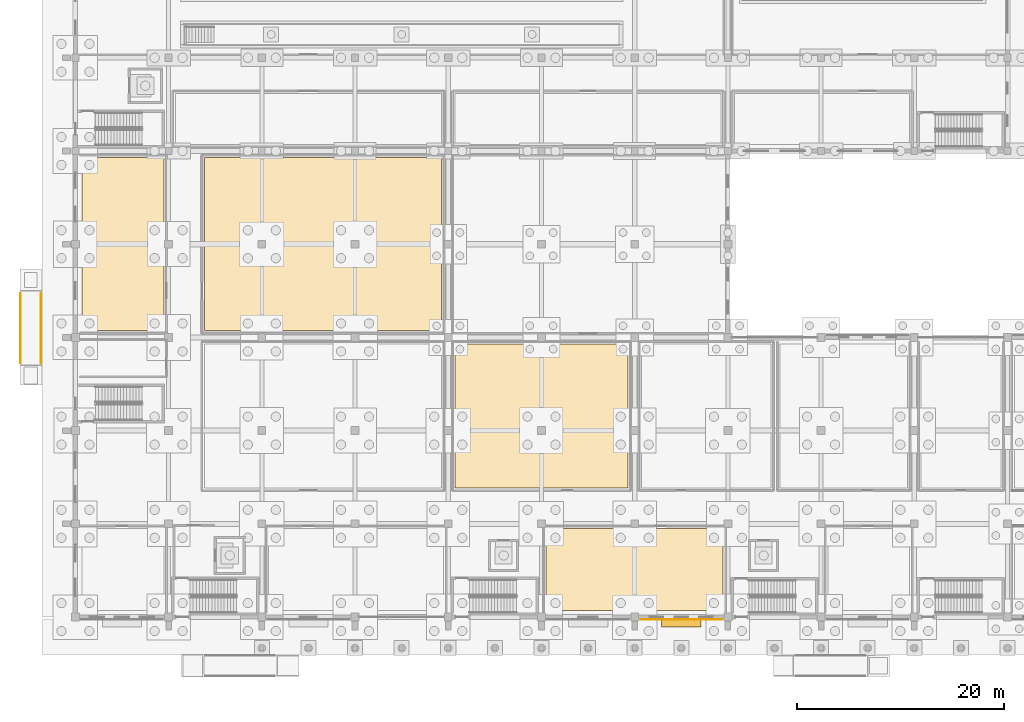
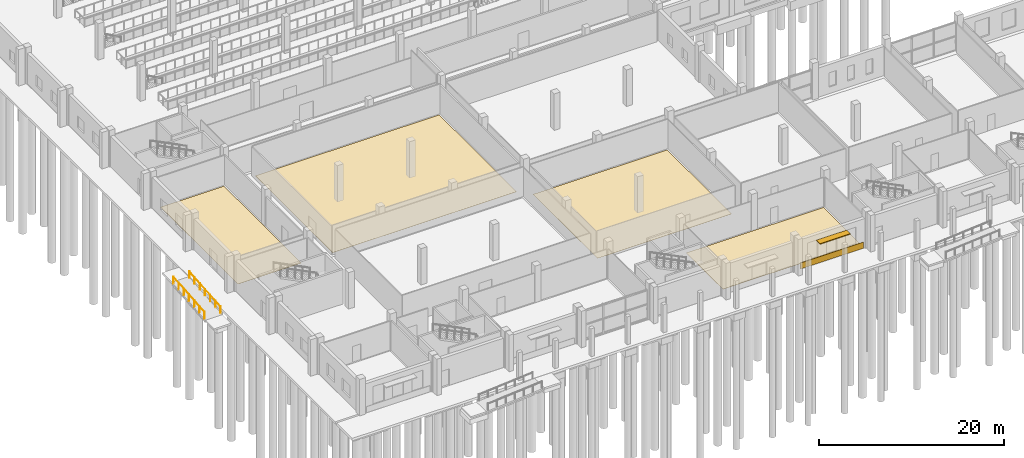
# One storey, part 92 of 112: 5 coverings, 2 railings, 1 shading device.
"""IFC4 building model written with IfcOpenShell, lengths in metres."""

from ifc_helpers import new_model, si_unit, direction, frame, origin, origin_2d, place, context, subcontext, project, spatial, polyline, rectangle, circle, outline, extrude, material, layer, layer_set, type_object, element, save


model = new_model("IFC4")

# Units and contexts
model_context = context("Model", 3, precision=1e-05, world=origin(), true_north=direction((0.0, 1.0)))
body_context = subcontext(model_context, "Body", "Model", "MODEL_VIEW")
ifc_project = project(units=[si_unit("LENGTHUNIT", "METRE"), si_unit("AREAUNIT", "SQUARE_METRE"), si_unit("VOLUMEUNIT", "CUBIC_METRE"), si_unit("PLANEANGLEUNIT", "RADIAN"), si_unit("MASSUNIT", "GRAM", prefix="KILO")], contexts=[model_context])

# Site, building, storey
site_placement = place(None, origin())
site = spatial("IfcSite", under=ifc_project, at=site_placement, CompositionType="ELEMENT")
building_placement = place(site_placement, origin())
building = spatial("IfcBuilding", under=site, at=building_placement, Name="Tharagai Park Tramway Depot", CompositionType="ELEMENT")
storey_placement = place(building_placement, origin())
storey = spatial("IfcBuildingStorey", under=building, at=storey_placement, Name="L00", CompositionType="ELEMENT", Elevation=0.0)

# Coverings
ifc_material_1 = material(Name="Charnockite stone", Category="masonry")
ifc_layer_1 = layer(ifc_material_1, 0.0400390625)
ifc_layer_set_1 = layer_set([ifc_layer_1], Name="Charnockite stone")
covering_type_1 = type_object("IfcCoveringType", Name="CV-02", PredefinedType="CLADDING", material=ifc_layer_set_1)
covering_1_placement = place(storey_placement, frame((58.5, -0.22509765625, 0.02001953125), z_axis=(0.0, 0.0, 1.0), x_axis=(1.0, 0.0, 0.0)))
element("IfcCovering", 1, at=covering_1_placement, inside=storey, type_object=covering_type_1, Name="Charnockite Plinth Cladding CV-02 #4", PredefinedType="CLADDING", context=body_context, shape_type="SweptSolid", body=[
    extrude(rectangle(XDim=7.85400390625, YDim=0.0400390625, at=origin_2d()), origin(), (0.0, 0.0, 1.0), 0.800048828125),
])
ifc_material_2 = material(Name="Terracotta floor tile", Category="masonry")
ifc_layer_2 = layer(ifc_material_2, 0.02001953125)
ifc_layer_set_2 = layer_set([ifc_layer_2], Name="Terracotta floor tile")
covering_type_2 = type_object("IfcCoveringType", Name="FN-01", PredefinedType="FLOORING", material=ifc_layer_set_2)
covering_2_placement = place(storey_placement, origin())
element("IfcCovering", 2, at=covering_2_placement, inside=storey, type_object=covering_type_2, Name="Duty Roster and Crew Dispatch Office Floor Finish", PredefinedType="FLOORING", context=body_context, shape_type="SweptSolid", body=[
    extrude(outline(polyline([(45.449951171875, 0.64990234375), (62.550048828125, 0.64990234375), (62.550048828125, 8.550048828125), (45.449951171875, 8.550048828125), (45.449951171875, 0.64990234375)])), origin(), (0.0, 0.0, 1.0), 0.02001953125),
])
covering_3_placement = place(storey_placement, origin())
element("IfcCovering", 3, at=covering_3_placement, inside=storey, type_object=covering_type_2, Name="Female Crew Lockers and Changing Room Floor Finish", PredefinedType="FLOORING", context=body_context, shape_type="SweptSolid", body=[
    extrude(outline(polyline([(36.64990234375, 12.449951171875), (53.35009765625, 12.449951171875), (53.35009765625, 26.35009765625), (36.64990234375, 26.35009765625), (36.64990234375, 12.449951171875)])), origin(), (0.0, 0.0, 1.0), 0.02001953125),
])
covering_4_placement = place(storey_placement, origin())
element("IfcCovering", 4, at=covering_4_placement, inside=storey, type_object=covering_type_2, Name="PPE Issue and Uniform Store Floor Finish", PredefinedType="FLOORING", context=body_context, shape_type="SweptSolid", body=[
    extrude(outline(polyline([(0.64990234375, 27.64990234375), (8.550048828125, 27.64990234375), (8.550048828125, 44.35009765625), (0.64990234375, 44.35009765625), (0.64990234375, 27.64990234375)])), origin(), (0.0, 0.0, 1.0), 0.02001953125),
])
covering_5_placement = place(storey_placement, origin())
element("IfcCovering", 5, at=covering_5_placement, inside=storey, type_object=covering_type_2, Name="Domestic Water Pump and Fire Sprinkler Plant Floor Finish", PredefinedType="FLOORING", context=body_context, shape_type="SweptSolid", body=[
    extrude(outline(polyline([(12.449951171875, 27.64990234375), (35.35009765625, 27.64990234375), (35.35009765625, 44.35009765625), (12.449951171875, 44.35009765625), (12.449951171875, 27.64990234375)])), origin(), (0.0, 0.0, 1.0), 0.02001953125),
])

# Railings
ifc_material_3 = material(Name="Galvanised steel", Category="steel")
railing_type = type_object("IfcRailingType", Name="GR-02", PredefinedType="HANDRAIL", material=ifc_material_3)
for number, where, name in (
    (6, (-5.2900390625, 24.550048828125, -0.5791015625), "Ramp RMP-04 Handrail L"),
    (7, (-3.31005859375, 24.550048828125, -0.5791015625), "Ramp RMP-04 Handrail R"),
):
    element("IfcRailing", number, at=place(storey_placement, frame(where)), inside=storey, type_object=railing_type, Name=name, PredefinedType="HANDRAIL", context=body_context, shape_type="SweptSolid", body=[
        extrude(circle(Radius=0.02392578125, at=origin_2d()), frame((0.0, 0.0, 0.89599609375), z_axis=(0.0, 0.996545507804, 0.083048485091), x_axis=(-1.0, 0.0, 0.0)), (0.0, 0.0, 1.0), 6.72314453125),
        extrude(circle(Radius=0.02099609375, at=origin_2d()), origin(), (0.0, 0.0, 1.0), 0.871826171875),
        extrude(circle(Radius=0.02099609375, at=origin_2d()), frame((0.0, 1.11669921875, 0.093017578125)), (0.0, 0.0, 1.0), 0.871826171875),
        extrude(circle(Radius=0.02099609375, at=origin_2d()), frame((0.0, 2.2333984375, 0.18603515625)), (0.0, 0.0, 1.0), 0.871826171875),
        extrude(circle(Radius=0.02099609375, at=origin_2d()), frame((0.0, 3.35009765625, 0.279296875)), (0.0, 0.0, 1.0), 0.871826171875),
        extrude(circle(Radius=0.02099609375, at=origin_2d()), frame((0.0, 4.466552734375, 0.372314453125)), (0.0, 0.0, 1.0), 0.871826171875),
        extrude(circle(Radius=0.02099609375, at=origin_2d()), frame((0.0, 5.583251953125, 0.46533203125)), (0.0, 0.0, 1.0), 0.871826171875),
        extrude(circle(Radius=0.02099609375, at=origin_2d()), frame((0.0, 6.699951171875, 0.558349609375)), (0.0, 0.0, 1.0), 0.871826171875),
    ])

# Shading device
ifc_material_4 = material(Name="Anodised aluminium", Category="aluminium")
ifc_layer_3 = layer(ifc_material_4, 0.080078125)
ifc_layer_set_3 = layer_set([ifc_layer_3], Name="Anodised aluminium")
shading_device_type = type_object("IfcShadingDeviceType", Name="SD-04", PredefinedType="AWNING", material=ifc_layer_set_3)
shading_device_placement = place(storey_placement, frame((58.5, -0.580078125, 3.010009765625), z_axis=(0.0, 0.0, 1.0), x_axis=(1.0, 0.0, 0.0)))
element("IfcShadingDevice", 8, at=shading_device_placement, inside=storey, type_object=shading_device_type, Name="Entrance Monsoon Canopy Awning SD-04 #4", PredefinedType="AWNING", context=body_context, shape_type="SweptSolid", body=[
    extrude(rectangle(XDim=3.800048828125, YDim=0.780029296875, at=origin_2d()), origin(), (0.0, 0.0, 1.0), 0.080078125),
])

save(model, "model.ifc")
